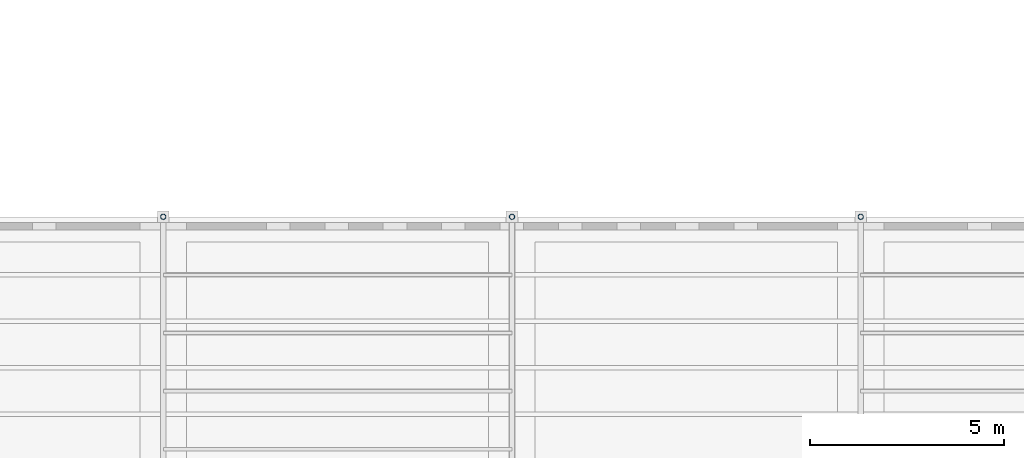
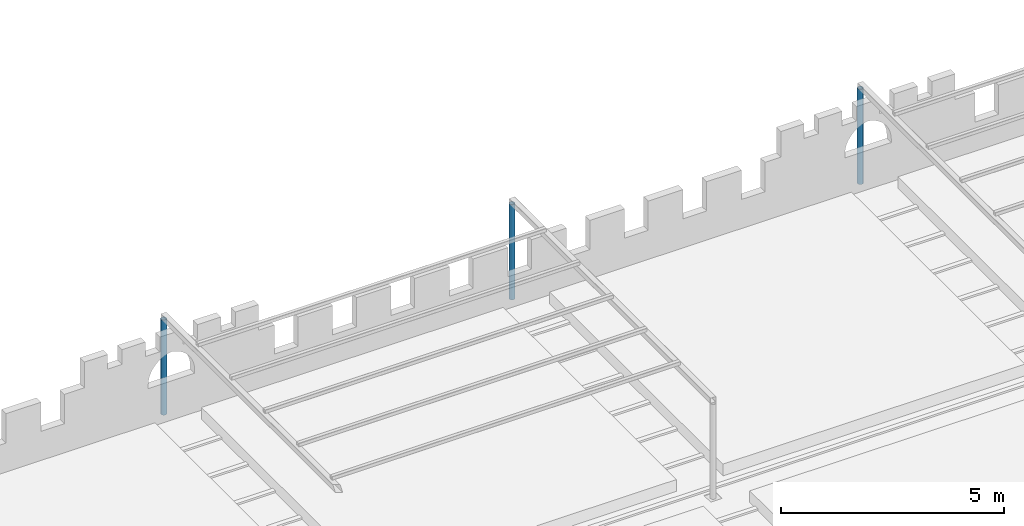
# One storey, part 11 of 153: 3 columns.
"""IFC4 building model written with IfcOpenShell, lengths in metres."""

from ifc_helpers import new_model, si_unit, direction, frame, origin, origin_2d, place, context, subcontext, project, spatial, hollow_circle, extrude, material, material_profile, profile_set, type_object, element, save


model = new_model("IFC4")

# Units and contexts
model_context = context("Model", 3, precision=1e-05, world=origin(), true_north=direction((0.0, 1.0)))
body_context = subcontext(model_context, "Body", "Model", "MODEL_VIEW")
ifc_project = project(units=[si_unit("LENGTHUNIT", "METRE"), si_unit("AREAUNIT", "SQUARE_METRE"), si_unit("VOLUMEUNIT", "CUBIC_METRE"), si_unit("PLANEANGLEUNIT", "RADIAN"), si_unit("MASSUNIT", "GRAM", prefix="KILO")], contexts=[model_context])

# Site, building, storey
site_placement = place(None, origin())
site = spatial("IfcSite", under=ifc_project, at=site_placement, CompositionType="ELEMENT")
building_placement = place(site_placement, origin())
building = spatial("IfcBuilding", under=site, at=building_placement, Name="Baradari Gate Terminus", CompositionType="ELEMENT")
storey_placement = place(building_placement, frame((0.0, 0.0, 11.699951171875)))
storey = spatial("IfcBuildingStorey", under=building, at=storey_placement, Name="L02", CompositionType="ELEMENT", Elevation=11.699951171875)

# Columns
ifc_material = material(Name="Steel S355", Category="steel")
ifc_material_profile = material_profile(ifc_material, hollow_circle(Radius=0.06982421875, WallThickness=0.008056640625, at=origin_2d()), Name="CHS 139.7x8")
ifc_profile_set = profile_set([ifc_material_profile], Name="Steel S355")
column_type = type_object("IfcColumnType", Name="Pergola post CHS 139.7x8", PredefinedType="COLUMN", material=ifc_profile_set)
for number, where, z_axis, x_axis, name in (
    (1, (81.0, 108.0, 0.0), (0.0, 0.0, 1.0), (1.0, 0.0, 0.0), "RF/L02/PGW1-PGC3"),
    (2, (72.0, 108.0, 0.0), (0.0, 0.0, 1.0), (1.0, 0.0, 0.0), "RF/L02/PGW1-PGC4"),
    (3, (90.0, 108.0, 0.0), (0.0, 0.0, 1.0), (1.0, 0.0, 0.0), "RF/L02/PGW2-PGC4"),
):
    element("IfcColumn", number, at=place(storey_placement, frame(where, z_axis=z_axis, x_axis=x_axis)), inside=storey, type_object=column_type, Name=name, PredefinedType="COLUMN", context=body_context, shape_type="SweptSolid", body=[
        extrude(hollow_circle(Radius=0.06982421875, WallThickness=0.008056640625, at=origin_2d()), origin(), (0.0, 0.0, 1.0), 2.60009765625),
    ])

save(model, "model.ifc")
